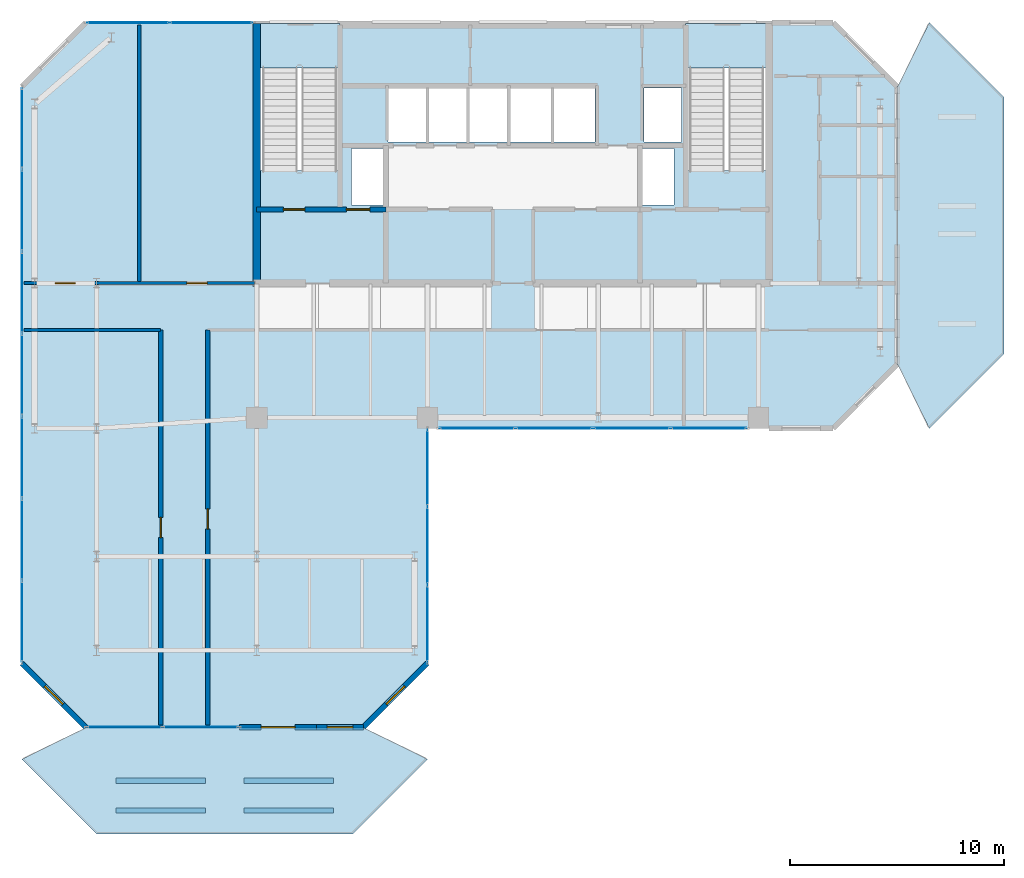
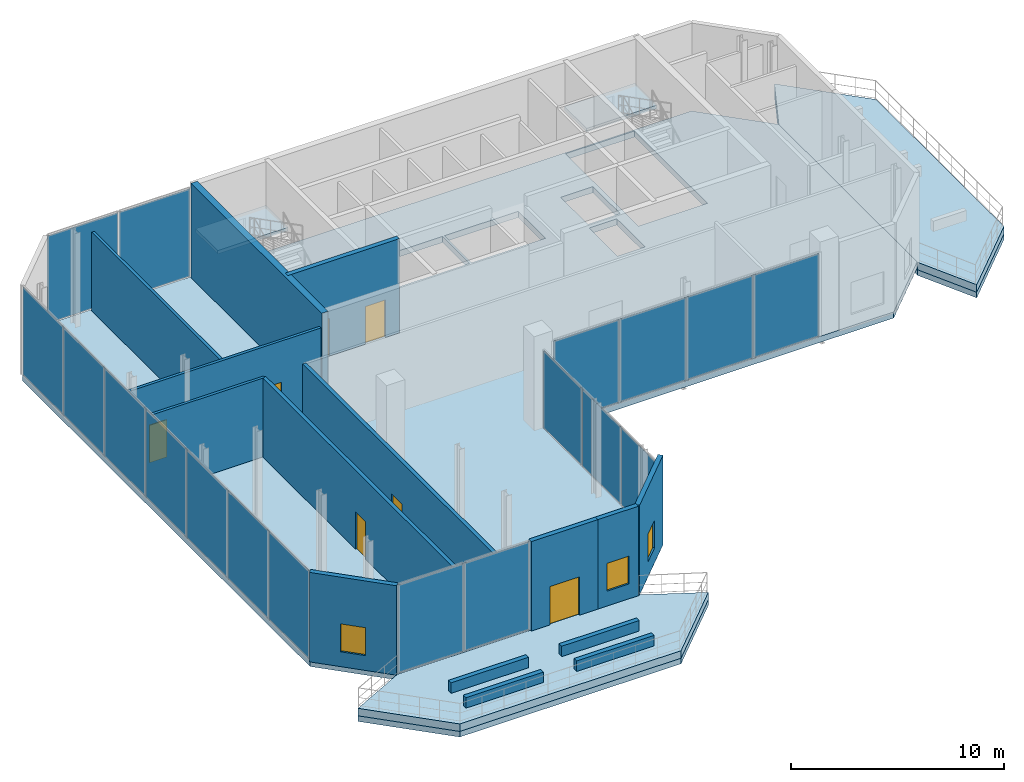
# One storey, part 13 of 17: 18 plates, 15 walls, 7 doors, 7 slabs, 3 windows, 10 openings, 7 elements without a shape of their own.
"""IFC4 building model written with IfcOpenShell, lengths in metres."""

import ifcopenshell
import ifcopenshell.guid

model = None  # the IFC model being written
_history = None  # IfcOwnerHistory: only IFC2X3 demands one
_inside = {}  # id of a spatial element -> (the spatial element, [elements in it])
_under = {}  # id of a project, library or spatial element -> (it, [spatial elements below it])
_declared = {}  # id of a project -> (the project, [libraries it declares])
_typed = {}  # id of a type object -> (the type object, [elements of that type])
_made_of = {}  # id of a material, layer set ... -> (it, [elements and type objects made of it])


def new_model(schema):
    """Start an empty IFC model of exactly this schema.

    Asked for "IFC4X3", IfcOpenShell would pick the latest addendum, in which some entities
    have other attributes; the version numbers below select the first issue.
    IFC2X3 requires an IfcOwnerHistory on every rooted entity: one is made here for all.
    """
    global model, _history
    if schema == "IFC4X3":
        model = ifcopenshell.file(schema_version=(4, 3, 0, 0))
    else:
        model = ifcopenshell.file(schema=schema)
    _inside.clear()
    _under.clear()
    _declared.clear()
    _typed.clear()
    _made_of.clear()
    _history = None
    if model.schema == "IFC2X3":
        org = make("IfcOrganization", Name="unknown")
        user = make(
            "IfcPersonAndOrganization",
            ThePerson=make("IfcPerson", FamilyName="unknown"),
            TheOrganization=org,
        )
        app = make(
            "IfcApplication",
            ApplicationDeveloper=org,
            Version="unknown",
            ApplicationFullName="unknown",
            ApplicationIdentifier="unknown",
        )
        _history = make(
            "IfcOwnerHistory",
            OwningUser=user,
            OwningApplication=app,
            ChangeAction="ADDED",
            CreationDate=0,
        )
    return model


def make(cls, **values):
    """One entity of the class cls with the attributes given. An attribute that is None is left unset."""
    return model.create_entity(
        cls, **{name: value for name, value in values.items() if value is not None}
    )


def rooted(cls, **values):
    """An entity with a GlobalId (a new one), such as an element, a storey or a relation."""
    return make(cls, GlobalId=ifcopenshell.guid.new(), OwnerHistory=_history, **values)


def si_unit(unit_type, name, prefix=None):
    """IfcSIUnit, for example si_unit("LENGTHUNIT", "METRE", prefix="MILLI")."""
    return make("IfcSIUnit", UnitType=unit_type, Prefix=prefix, Name=name)


def assignment(units):
    """IfcUnitAssignment: the units of a project."""
    return None if units is None else make("IfcUnitAssignment", Units=units)


def point(xyz):
    """IfcCartesianPoint."""
    return None if xyz is None else make("IfcCartesianPoint", Coordinates=xyz)


def direction(xyz):
    """IfcDirection."""
    return None if xyz is None else make("IfcDirection", DirectionRatios=xyz)


def frame(location, z_axis=None, x_axis=None):
    """IfcAxis2Placement3D, a coordinate frame: its origin and axes. An axis left out is left unset."""
    return make(
        "IfcAxis2Placement3D",
        Location=point(location),
        Axis=direction(z_axis),
        RefDirection=direction(x_axis),
    )


def frame_2d(location, x_axis=None):
    """IfcAxis2Placement2D, a coordinate frame in the plane: its origin and x axis."""
    return make(
        "IfcAxis2Placement2D", Location=point(location), RefDirection=direction(x_axis)
    )


def origin():
    """The frame at (0, 0, 0) with its axes left unset."""
    return frame((0.0, 0.0, 0.0))


def origin_2d():
    """The frame at (0, 0) in the plane with its x axis left unset."""
    return frame_2d((0.0, 0.0))


def place(relative_to, where):
    """IfcLocalPlacement: puts the frame where relative to a parent placement (None: the world)."""
    return make(
        "IfcLocalPlacement", PlacementRelTo=relative_to, RelativePlacement=where
    )


def context(
    kind, dimensions, precision=None, world=None, true_north=None, identifier=None
):
    """IfcGeometricRepresentationContext, for example the 3D "Model" context."""
    return make(
        "IfcGeometricRepresentationContext",
        ContextIdentifier=identifier,
        ContextType=kind,
        CoordinateSpaceDimension=dimensions,
        Precision=precision,
        WorldCoordinateSystem=world,
        TrueNorth=true_north,
    )


def subcontext(parent, identifier, kind, view, scale=None):
    """IfcGeometricRepresentationSubContext, for example "Body" below "Model"."""
    return make(
        "IfcGeometricRepresentationSubContext",
        ContextIdentifier=identifier,
        ContextType=kind,
        ParentContext=parent,
        TargetScale=scale,
        TargetView=view,
    )


def project(units=None, contexts=None):
    """IfcProject with its units and contexts."""
    return rooted(
        "IfcProject",
        Name="project",
        RepresentationContexts=contexts,
        UnitsInContext=assignment(units),
    )


def spatial(cls, under=None, at=None, **own):
    """A site, building, storey or space (cls), placed at a placement, below another one or the project."""
    s = rooted(cls, ObjectPlacement=at, **own)
    if under is not None:
        _under.setdefault(under.id(), (under, []))[1].append(s)
    return s


def polyline(points):
    """IfcPolyline through the points."""
    return make("IfcPolyline", Points=[point(p) for p in points])


def profile(cls, at=None, kind="AREA", **sizes):
    """A parametric profile (cls). Its sizes go by their IFC names, for example OverallWidth=200.0."""
    return make(cls, ProfileType=kind, Position=at, **sizes)


def rectangle(**sizes):
    """IfcRectangleProfileDef."""
    return profile("IfcRectangleProfileDef", **sizes)


def outline(outer, holes=None, kind="AREA"):
    """IfcArbitraryClosedProfileDef: a profile drawn as a closed curve; with holes, ...WithVoids."""
    if holes is None:
        return make("IfcArbitraryClosedProfileDef", ProfileType=kind, OuterCurve=outer)
    return make(
        "IfcArbitraryProfileDefWithVoids",
        ProfileType=kind,
        OuterCurve=outer,
        InnerCurves=holes,
    )


def extrude(swept, where, along, depth):
    """IfcExtrudedAreaSolid: the profile swept, set in the frame where, extruded along a direction by depth."""
    return make(
        "IfcExtrudedAreaSolid",
        SweptArea=swept,
        Position=where,
        ExtrudedDirection=direction(along),
        Depth=depth,
    )


def shape(context_of_items, identifier, shape_type, items):
    """IfcShapeRepresentation: the items that make up one representation, for example the "Body"."""
    return make(
        "IfcShapeRepresentation",
        ContextOfItems=context_of_items,
        RepresentationIdentifier=identifier,
        RepresentationType=shape_type,
        Items=items,
    )


def material(Name=None, Category=None):
    """IfcMaterial."""
    return make("IfcMaterial", Name=Name, Category=Category)


def layer(
    of_material, thickness, ventilated=None, Name=None, Category=None, Priority=None
):
    """IfcMaterialLayer: one layer of a wall or slab, of a material (None: an air gap)."""
    return make(
        "IfcMaterialLayer",
        Material=of_material,
        LayerThickness=thickness,
        IsVentilated=ventilated,
        Name=Name,
        Category=Category,
        Priority=Priority,
    )


def layer_set(layers, Name=None):
    """IfcMaterialLayerSet."""
    return make("IfcMaterialLayerSet", MaterialLayers=layers, LayerSetName=Name)


def made_of(thing, what):
    """Note that an element or type object is made of a material, layer set ...; save() writes the relation."""
    if what is not None:
        _made_of.setdefault(what.id(), (what, []))[1].append(thing)
    return thing


def type_object(cls, material=None, **own):
    """A type object (cls), such as IfcWallType, which elements share."""
    return made_of(rooted(cls, **own), material)


def element(
    cls,
    number,
    at=None,
    inside=None,
    cuts=None,
    type_object=None,
    material=None,
    context=None,
    identifier="Body",
    shape_type=None,
    held_by="IfcProductDefinitionShape",
    body=None,
    shapes=None,
    **own,
):
    """One element of the class cls, such as IfcWall. Its Tag is "e" and its number.

    at: its placement. inside: the storey or other place that contains it. cuts: it is an
    opening in that element (IfcRelVoidsElement). A single representation is given by context,
    identifier, shape_type and body (its items); several are given by shapes. held_by: the class
    of the entity that holds the representations. save() writes the other relations.
    """
    e = rooted(cls, Tag="e%d" % number, ObjectPlacement=at, **own)
    if body is not None:
        shapes = [shape(context, identifier, shape_type, body)]
    if shapes is not None:
        e.Representation = make(held_by, Representations=shapes)
    if inside is not None:
        _inside.setdefault(inside.id(), (inside, []))[1].append(e)
    if cuts is not None:
        rooted(
            "IfcRelVoidsElement", RelatingBuildingElement=cuts, RelatedOpeningElement=e
        )
    if type_object is not None:
        _typed.setdefault(type_object.id(), (type_object, []))[1].append(e)
    return made_of(e, material)


def fill(opening, filler):
    """IfcRelFillsElement: the door or window that sits in an opening."""
    return rooted(
        "IfcRelFillsElement",
        RelatingOpeningElement=opening,
        RelatedBuildingElement=filler,
    )


def aggregate(whole, parts):
    """IfcRelAggregates: a whole, such as a stair, and the parts it consists of."""
    return rooted("IfcRelAggregates", RelatingObject=whole, RelatedObjects=parts)


def save(model, path):
    """Write the relations noted so far, then the file.

    IfcRelAggregates (storeys below a building ...), IfcRelContainedInSpatialStructure (elements
    in a storey), IfcRelDefinesByType, IfcRelAssociatesMaterial and IfcRelDeclares: one each for
    every whole, place, type object, material and project.
    """
    for whole, parts in _under.values():
        aggregate(whole, parts)
    for where, things in _inside.values():
        rooted(
            "IfcRelContainedInSpatialStructure",
            RelatedElements=things,
            RelatingStructure=where,
        )
    for kind, things in _typed.values():
        rooted("IfcRelDefinesByType", RelatedObjects=things, RelatingType=kind)
    for what, things in _made_of.values():
        rooted("IfcRelAssociatesMaterial", RelatedObjects=things, RelatingMaterial=what)
    for by, libraries in _declared.values():
        rooted("IfcRelDeclares", RelatingContext=by, RelatedDefinitions=libraries)
    model.write(path)


model = new_model("IFC4")

# Units and contexts
model_context = context("Model", 3, precision=1e-05, world=origin(), true_north=direction((0.0, 1.0)))
body_context = subcontext(model_context, "Body", "Model", "MODEL_VIEW")
ifc_project = project(units=[si_unit("LENGTHUNIT", "METRE"), si_unit("AREAUNIT", "SQUARE_METRE"), si_unit("VOLUMEUNIT", "CUBIC_METRE"), si_unit("PLANEANGLEUNIT", "RADIAN"), si_unit("MASSUNIT", "GRAM", prefix="KILO")], contexts=[model_context])

# Site, building, storey
site_placement = place(None, origin())
site = spatial("IfcSite", under=ifc_project, at=site_placement, CompositionType="ELEMENT")
building_placement = place(site_placement, origin())
building = spatial("IfcBuilding", under=site, at=building_placement, Name="Catumbela Crestline Tower", CompositionType="ELEMENT")
storey_placement = place(building_placement, frame((0.0, 0.0, 213.0)))
storey = spatial("IfcBuildingStorey", under=building, at=storey_placement, Name="L55", CompositionType="ELEMENT", Elevation=213.0)

# Curtain wall, plates
ifc_material_1 = material(Name="Aluminium alloy AW-6060-T66", Category="aluminium")
ifc_layer_1 = layer(ifc_material_1, 0.18, Name="Aluminium alloy AW-6060-T66")
ifc_layer_set_1 = layer_set([ifc_layer_1], Name="Aluminium alloy AW-6060-T66")
curtain_wall_type = type_object("IfcCurtainWallType", Name="CWU-SKY", PredefinedType="USERDEFINED", material=ifc_layer_set_1)
curtain_wall_1_placement = place(storey_placement, origin())
curtain_wall_1 = element("IfcCurtainWall", 1, at=curtain_wall_1_placement, inside=storey, type_object=curtain_wall_type, Name="L55 Unitised Curtain Wall CW-L55-E0S1", ObjectType="UNITISED", PredefinedType="USERDEFINED")
ifc_material_2 = material(Name="Low-E laminated solar-control double glazing", Category="glass")
ifc_layer_2 = layer(ifc_material_2, 0.036, Name="Low-E laminated solar-control double glazing")
ifc_layer_set_2 = layer_set([ifc_layer_2], Name="Low-E laminated solar-control double glazing")
plate_type = type_object("IfcPlateType", Name="PNL-GLZ-SK", PredefinedType="CURTAIN_PANEL", material=ifc_layer_set_2)
plate_1_placement = place(storey_placement, frame((9.8162, 10.0, 0.06), z_axis=(0.0, 0.0, 1.0), x_axis=(1.0, 0.0, 0.0)))
plate_1 = element("IfcPlate", 2, at=plate_1_placement, type_object=plate_type, Name="CWU-SKY panel 1.1", PredefinedType="CURTAIN_PANEL", context=body_context, shape_type="SweptSolid", body=[
    extrude(rectangle(XDim=3.5025, YDim=0.034, at=origin_2d()), origin(), (0.0, 0.0, 1.0), 5.01),
])
plate_2_placement = place(storey_placement, frame((13.3838, 10.0, 0.06), z_axis=(0.0, 0.0, 1.0), x_axis=(1.0, 0.0, 0.0)))
plate_2 = element("IfcPlate", 3, at=plate_2_placement, type_object=plate_type, Name="CWU-SKY panel 2.1", PredefinedType="CURTAIN_PANEL", context=body_context, shape_type="SweptSolid", body=[
    extrude(rectangle(XDim=3.5025, YDim=0.034, at=origin_2d()), origin(), (0.0, 0.0, 1.0), 5.01),
])
aggregate(curtain_wall_1, [plate_1, plate_2])

curtain_wall_2_placement = place(storey_placement, origin())
curtain_wall_2 = element("IfcCurtainWall", 4, at=curtain_wall_2_placement, inside=storey, type_object=curtain_wall_type, Name="L55 Unitised Curtain Wall CW-L55-E2S1", ObjectType="UNITISED", PredefinedType="USERDEFINED")
plate_3_placement = place(storey_placement, frame((24.0, 14.8496, 0.06), z_axis=(0.0, 0.0, 1.0), x_axis=(0.0, 1.0, 0.0)))
plate_3 = element("IfcPlate", 5, at=plate_3_placement, type_object=plate_type, Name="CWU-SKY panel 1.1", PredefinedType="CURTAIN_PANEL", context=body_context, shape_type="SweptSolid", body=[
    extrude(rectangle(XDim=3.5692, YDim=0.034, at=origin_2d()), origin(), (0.0, 0.0, 1.0), 4.4),
])
plate_4_placement = place(storey_placement, frame((24.0, 18.5, 0.06), z_axis=(0.0, 0.0, 1.0), x_axis=(0.0, 1.0, 0.0)))
plate_4 = element("IfcPlate", 6, at=plate_4_placement, type_object=plate_type, Name="CWU-SKY panel 2.1", PredefinedType="CURTAIN_PANEL", context=body_context, shape_type="SweptSolid", body=[
    extrude(rectangle(XDim=3.6017, YDim=0.034, at=origin_2d()), origin(), (0.0, 0.0, 1.0), 4.4),
])
plate_5_placement = place(storey_placement, frame((24.0, 22.1504, 0.06), z_axis=(0.0, 0.0, 1.0), x_axis=(0.0, 1.0, 0.0)))
plate_5 = element("IfcPlate", 7, at=plate_5_placement, type_object=plate_type, Name="CWU-SKY panel 3.1", PredefinedType="CURTAIN_PANEL", context=body_context, shape_type="SweptSolid", body=[
    extrude(rectangle(XDim=3.5692, YDim=0.034, at=origin_2d()), origin(), (0.0, 0.0, 1.0), 4.4),
])
aggregate(curtain_wall_2, [plate_3, plate_4, plate_5])

curtain_wall_3_placement = place(storey_placement, origin())
curtain_wall_3 = element("IfcCurtainWall", 8, at=curtain_wall_3_placement, inside=storey, type_object=curtain_wall_type, Name="L55 Unitised Curtain Wall CW-L55-E3S1", ObjectType="UNITISED", PredefinedType="USERDEFINED")
plate_6_placement = place(storey_placement, frame((26.3288, 24.0, 0.06), z_axis=(0.0, 0.0, 1.0), x_axis=(1.0, 0.0, 0.0)))
plate_6 = element("IfcPlate", 9, at=plate_6_placement, type_object=plate_type, Name="CWU-SKY panel 1.1", PredefinedType="CURTAIN_PANEL", context=body_context, shape_type="SweptSolid", body=[
    extrude(rectangle(XDim=3.5275, YDim=0.034, at=origin_2d()), origin(), (0.0, 0.0, 1.0), 4.72),
])
plate_7_placement = place(storey_placement, frame((29.9375, 24.0, 0.06), z_axis=(0.0, 0.0, 1.0), x_axis=(1.0, 0.0, 0.0)))
plate_7 = element("IfcPlate", 10, at=plate_7_placement, type_object=plate_type, Name="CWU-SKY panel 2.1", PredefinedType="CURTAIN_PANEL", context=body_context, shape_type="SweptSolid", body=[
    extrude(rectangle(XDim=3.56, YDim=0.034, at=origin_2d()), origin(), (0.0, 0.0, 1.0), 4.72),
])
plate_8_placement = place(storey_placement, frame((33.5625, 24.0, 0.06), z_axis=(0.0, 0.0, 1.0), x_axis=(1.0, 0.0, 0.0)))
plate_8 = element("IfcPlate", 11, at=plate_8_placement, type_object=plate_type, Name="CWU-SKY panel 3.1", PredefinedType="CURTAIN_PANEL", context=body_context, shape_type="SweptSolid", body=[
    extrude(rectangle(XDim=3.56, YDim=0.034, at=origin_2d()), origin(), (0.0, 0.0, 1.0), 4.72),
])
plate_9_placement = place(storey_placement, frame((37.1712, 24.0, 0.06), z_axis=(0.0, 0.0, 1.0), x_axis=(1.0, 0.0, 0.0)))
plate_9 = element("IfcPlate", 12, at=plate_9_placement, type_object=plate_type, Name="CWU-SKY panel 4.1", PredefinedType="CURTAIN_PANEL", context=body_context, shape_type="SweptSolid", body=[
    extrude(rectangle(XDim=3.5275, YDim=0.034, at=origin_2d()), origin(), (0.0, 0.0, 1.0), 4.72),
])
aggregate(curtain_wall_3, [plate_6, plate_7, plate_8, plate_9])

curtain_wall_4_placement = place(storey_placement, origin())
curtain_wall_4 = element("IfcCurtainWall", 13, at=curtain_wall_4_placement, inside=storey, type_object=curtain_wall_type, Name="L55 Unitised Curtain Wall CW-L55-E7S2", ObjectType="UNITISED", PredefinedType="USERDEFINED")
plate_10_placement = place(storey_placement, frame((13.8788, 43.0, 0.06), z_axis=(0.0, 0.0, 1.0), x_axis=(-1.0, 0.0, 0.0)))
plate_10 = element("IfcPlate", 14, at=plate_10_placement, type_object=plate_type, Name="CWU-SKY panel 1.1", PredefinedType="CURTAIN_PANEL", context=body_context, shape_type="SweptSolid", body=[
    extrude(rectangle(XDim=3.8325, YDim=0.034, at=origin_2d()), origin(), (0.0, 0.0, 1.0), 5.01),
])
plate_11_placement = place(storey_placement, frame((9.9812, 43.0, 0.06), z_axis=(0.0, 0.0, 1.0), x_axis=(-1.0, 0.0, 0.0)))
plate_11 = element("IfcPlate", 15, at=plate_11_placement, type_object=plate_type, Name="CWU-SKY panel 2.1", PredefinedType="CURTAIN_PANEL", context=body_context, shape_type="SweptSolid", body=[
    extrude(rectangle(XDim=3.8325, YDim=0.034, at=origin_2d()), origin(), (0.0, 0.0, 1.0), 5.01),
])
aggregate(curtain_wall_4, [plate_10, plate_11])

curtain_wall_5_placement = place(storey_placement, origin())
curtain_wall_5 = element("IfcCurtainWall", 16, at=curtain_wall_5_placement, inside=storey, type_object=curtain_wall_type, Name="L55 Unitised Curtain Wall CW-L55-E9S1", ObjectType="UNITISED", PredefinedType="USERDEFINED")
plate_12_placement = place(storey_placement, frame((5.0, 38.0552, 0.06), z_axis=(0.0, 0.0, 1.0), x_axis=(0.0, -1.0, 0.0)))
plate_12 = element("IfcPlate", 17, at=plate_12_placement, type_object=plate_type, Name="CWU-SKY panel 1.1", PredefinedType="CURTAIN_PANEL", context=body_context, shape_type="SweptSolid", body=[
    extrude(rectangle(XDim=3.7596, YDim=0.034, at=origin_2d()), origin(), (0.0, 0.0, 1.0), 5.01),
])
plate_13_placement = place(storey_placement, frame((5.0, 34.2143, 0.06), z_axis=(0.0, 0.0, 1.0), x_axis=(0.0, -1.0, 0.0)))
plate_13 = element("IfcPlate", 18, at=plate_13_placement, type_object=plate_type, Name="CWU-SKY panel 2.1", PredefinedType="CURTAIN_PANEL", context=body_context, shape_type="SweptSolid", body=[
    extrude(rectangle(XDim=3.7921, YDim=0.034, at=origin_2d()), origin(), (0.0, 0.0, 1.0), 5.01),
])
plate_14_placement = place(storey_placement, frame((5.0, 30.3571, 0.06), z_axis=(0.0, 0.0, 1.0), x_axis=(0.0, -1.0, 0.0)))
plate_14 = element("IfcPlate", 19, at=plate_14_placement, type_object=plate_type, Name="CWU-SKY panel 3.1", PredefinedType="CURTAIN_PANEL", context=body_context, shape_type="SweptSolid", body=[
    extrude(rectangle(XDim=3.7921, YDim=0.034, at=origin_2d()), origin(), (0.0, 0.0, 1.0), 5.01),
])
plate_15_placement = place(storey_placement, frame((5.0, 26.5, 0.06), z_axis=(0.0, 0.0, 1.0), x_axis=(0.0, -1.0, 0.0)))
plate_15 = element("IfcPlate", 20, at=plate_15_placement, type_object=plate_type, Name="CWU-SKY panel 4.1", PredefinedType="CURTAIN_PANEL", context=body_context, shape_type="SweptSolid", body=[
    extrude(rectangle(XDim=3.7921, YDim=0.034, at=origin_2d()), origin(), (0.0, 0.0, 1.0), 5.01),
])
plate_16_placement = place(storey_placement, frame((5.0, 22.6429, 0.06), z_axis=(0.0, 0.0, 1.0), x_axis=(0.0, -1.0, 0.0)))
plate_16 = element("IfcPlate", 21, at=plate_16_placement, type_object=plate_type, Name="CWU-SKY panel 5.1", PredefinedType="CURTAIN_PANEL", context=body_context, shape_type="SweptSolid", body=[
    extrude(rectangle(XDim=3.7921, YDim=0.034, at=origin_2d()), origin(), (0.0, 0.0, 1.0), 5.01),
])
plate_17_placement = place(storey_placement, frame((5.0, 18.7857, 0.06), z_axis=(0.0, 0.0, 1.0), x_axis=(0.0, -1.0, 0.0)))
plate_17 = element("IfcPlate", 22, at=plate_17_placement, type_object=plate_type, Name="CWU-SKY panel 6.1", PredefinedType="CURTAIN_PANEL", context=body_context, shape_type="SweptSolid", body=[
    extrude(rectangle(XDim=3.7921, YDim=0.034, at=origin_2d()), origin(), (0.0, 0.0, 1.0), 5.01),
])
plate_18_placement = place(storey_placement, frame((5.0, 14.9448, 0.06), z_axis=(0.0, 0.0, 1.0), x_axis=(0.0, -1.0, 0.0)))
plate_18 = element("IfcPlate", 23, at=plate_18_placement, type_object=plate_type, Name="CWU-SKY panel 7.1", PredefinedType="CURTAIN_PANEL", context=body_context, shape_type="SweptSolid", body=[
    extrude(rectangle(XDim=3.7596, YDim=0.034, at=origin_2d()), origin(), (0.0, 0.0, 1.0), 5.01),
])
aggregate(curtain_wall_5, [plate_12, plate_13, plate_14, plate_15, plate_16, plate_17, plate_18])

# Stair, slab
ifc_material_3 = material(Name="Concrete C45/55", Category="concrete")
stair_type = type_object("IfcStairType", Name="ST-DLG", PredefinedType="HALF_TURN_STAIR", material=ifc_material_3)
stair_1_placement = place(storey_placement, origin())
stair_1 = element("IfcStair", 24, at=stair_1_placement, inside=storey, type_object=stair_type, Name="L55 West Core Pressurised Exit Stair ST-01", PredefinedType="HALF_TURN_STAIR")
ifc_layer_3 = layer(ifc_material_3, 0.2, Name="Concrete C45/55")
ifc_layer_set_3 = layer_set([ifc_layer_3], Name="Concrete C45/55")
slab_type_1 = type_object("IfcSlabType", Name="SL-LND", PredefinedType="LANDING", material=ifc_layer_set_3)
slab_1_placement = place(storey_placement, frame((0.0, 0.0, 2.5)))
slab_1 = element("IfcSlab", 25, at=slab_1_placement, type_object=slab_type_1, Name="ST-01 landing 1", PredefinedType="LANDING", context=body_context, shape_type="SweptSolid", body=[
    extrude(outline(polyline([(19.91, 40.88), (19.91, 42.96), (16.09, 42.96), (16.09, 40.88), (19.91, 40.88)])), origin(), (0.0, 0.0, 1.0), 0.2),
])
aggregate(stair_1, [slab_1])

stair_2_placement = place(storey_placement, origin())
stair_2 = element("IfcStair", 26, at=stair_2_placement, inside=storey, type_object=stair_type, Name="L55 East Core Pressurised Exit Stair ST-02", PredefinedType="HALF_TURN_STAIR")
slab_2_placement = place(storey_placement, frame((0.0, 0.0, 2.5)))
slab_2 = element("IfcSlab", 27, at=slab_2_placement, type_object=slab_type_1, Name="ST-02 landing 1", PredefinedType="LANDING", context=body_context, shape_type="SweptSolid", body=[
    extrude(outline(polyline([(39.91, 40.88), (39.91, 42.96), (36.09, 42.96), (36.09, 40.88), (39.91, 40.88)])), origin(), (0.0, 0.0, 1.0), 0.2),
])
aggregate(stair_2, [slab_2])

# Slabs
ifc_material_4 = material(Name="Concrete C50/60", Category="concrete")
ifc_layer_4 = layer(ifc_material_4, 0.35, Name="Concrete C50/60")
ifc_layer_set_4 = layer_set([ifc_layer_4], Name="Concrete C50/60")
slab_type_2 = type_object("IfcSlabType", Name="SL-350M", PredefinedType="FLOOR", material=ifc_layer_set_4)
slab_3_placement = place(storey_placement, frame((0.0, 0.0, -0.35)))
element("IfcSlab", 28, at=slab_3_placement, inside=storey, type_object=slab_type_2, Name="L55 Structural Floor Slab", PredefinedType="FLOOR", context=body_context, shape_type="SweptSolid", body=[
    extrude(outline(polyline([(8.0, 10.0), (21.0, 10.0), (24.0, 13.0), (24.0, 24.0), (43.0, 24.0), (46.0, 27.0), (46.0, 40.0), (43.0, 43.0), (8.0, 43.0), (5.0, 40.0), (5.0, 13.0), (8.0, 10.0)]), holes=[polyline([(16.13, 36.08), (19.87, 36.08), (19.87, 42.92), (16.13, 42.92), (16.13, 36.08)]), polyline([(36.13, 36.08), (39.87, 36.08), (39.87, 42.92), (36.13, 42.92), (36.13, 36.08)]), polyline([(22.15, 37.4), (27.75, 37.4), (27.75, 39.95), (22.15, 39.95), (22.15, 37.4)]), polyline([(27.85, 37.4), (31.85, 37.4), (31.85, 39.95), (27.85, 39.95), (27.85, 37.4)]), polyline([(20.45, 34.45), (21.95, 34.45), (21.95, 37.1), (20.45, 37.1), (20.45, 34.45)]), polyline([(34.05, 34.45), (35.55, 34.45), (35.55, 37.1), (34.05, 37.1), (34.05, 34.45)]), polyline([(34.15, 37.4), (35.9, 37.4), (35.9, 39.95), (34.15, 39.95), (34.15, 37.4)])]), origin(), (0.0, 0.0, 1.0), 0.35),
])
ifc_layer_5 = layer(ifc_material_4, 0.32, Name="Concrete C50/60")
ifc_layer_set_5 = layer_set([ifc_layer_5], Name="Concrete C50/60")
slab_type_3 = type_object("IfcSlabType", Name="ST-320G", PredefinedType="ROOF", material=ifc_layer_set_5)
slab_4_placement = place(storey_placement, frame((0.0, 0.0, -0.77)))
element("IfcSlab", 29, at=slab_4_placement, inside=storey, type_object=slab_type_3, Name="L55 Planted Sky Garden Terrace Slab TER-L55-E", PredefinedType="ROOF", context=body_context, shape_type="SweptSolid", body=[
    extrude(outline(polyline([(46.01, 27.0), (47.5, 24.0), (51.0, 27.5), (51.0, 39.5), (47.5, 43.0), (46.01, 40.0), (46.01, 27.0)])), origin(), (0.0, 0.0, 1.0), 0.32),
])
slab_5_placement = place(storey_placement, frame((0.0, 0.0, -0.77)))
element("IfcSlab", 30, at=slab_5_placement, inside=storey, type_object=slab_type_3, Name="L55 Planted Sky Garden Terrace Slab TER-L55-S", PredefinedType="ROOF", context=body_context, shape_type="SweptSolid", body=[
    extrude(outline(polyline([(5.0, 8.5), (8.5, 5.0), (20.5, 5.0), (24.0, 8.5), (21.0, 9.99), (8.0, 9.99), (5.0, 8.5)])), origin(), (0.0, 0.0, 1.0), 0.32),
])
ifc_material_5 = material(Name="Angolan grey-ochre granite", Category="masonry")
ifc_layer_6 = layer(ifc_material_5, 0.43, Name="Angolan grey-ochre granite")
ifc_layer_set_6 = layer_set([ifc_layer_6], Name="Angolan grey-ochre granite")
slab_type_4 = type_object("IfcSlabType", Name="STD-430", PredefinedType="USERDEFINED", material=ifc_layer_set_6)
slab_6_placement = place(storey_placement, frame((0.0, 0.0, -0.45)))
element("IfcSlab", 31, at=slab_6_placement, inside=storey, type_object=slab_type_4, Name="L55 Permeable Granite Sky-Garden Terrace Deck TER-L55-E", ObjectType="TERRACE", PredefinedType="USERDEFINED", context=body_context, shape_type="SweptSolid", body=[
    extrude(outline(polyline([(46.01, 27.0), (47.5, 24.0), (51.0, 27.5), (51.0, 39.5), (47.5, 43.0), (46.01, 40.0), (46.01, 27.0)])), origin(), (0.0, 0.0, 1.0), 0.43),
])
slab_7_placement = place(storey_placement, frame((0.0, 0.0, -0.45)))
element("IfcSlab", 32, at=slab_7_placement, inside=storey, type_object=slab_type_4, Name="L55 Permeable Granite Sky-Garden Terrace Deck TER-L55-S", ObjectType="TERRACE", PredefinedType="USERDEFINED", context=body_context, shape_type="SweptSolid", body=[
    extrude(outline(polyline([(5.0, 8.5), (8.5, 5.0), (20.5, 5.0), (24.0, 8.5), (21.0, 9.99), (8.0, 9.99), (5.0, 8.5)])), origin(), (0.0, 0.0, 1.0), 0.43),
])

# Wall, openings, doors
ifc_layer_7 = layer(ifc_material_4, 0.25, Name="Concrete C50/60")
ifc_layer_set_7 = layer_set([ifc_layer_7], Name="Concrete C50/60")
wall_type_1 = type_object("IfcWallType", Name="CW-250D", PredefinedType="SHEAR", material=ifc_layer_set_7)
wall_1_placement = place(storey_placement, frame((16.0, 34.25, 0.0), z_axis=(0.0, 0.0, 1.0), x_axis=(1.0, 0.0, 0.0)))
wall_1 = element("IfcWall", 33, at=wall_1_placement, inside=storey, type_object=wall_type_1, Name="L55 Structural Core Shear Wall ST1S", PredefinedType="SHEAR", context=body_context, shape_type="SweptSolid", body=[
    extrude(rectangle(XDim=6.05, YDim=0.25, at=frame_2d((3.025, 0.0))), origin(), (0.0, 0.0, 1.0), 5.4),
])
opening_1_placement = place(wall_1_placement, frame((1.25, 0.0, 0.0)))
opening_1 = element("IfcOpeningElement", 34, at=opening_1_placement, cuts=wall_1, Name="Opening DF9-100", PredefinedType="OPENING", context=body_context, shape_type="SweptSolid", body=[
    extrude(rectangle(XDim=1.0, YDim=2.15, at=frame_2d((0.5, 1.075))), frame((0.0, 0.135, 0.0), z_axis=(0.0, -1.0, 0.0), x_axis=(1.0, 0.0, 0.0)), (0.0, 0.0, 1.0), 0.27),
])
opening_2_placement = place(wall_1_placement, frame((4.2, 0.0, 0.0)))
opening_2 = element("IfcOpeningElement", 35, at=opening_2_placement, cuts=wall_1, Name="Opening LD-110", PredefinedType="OPENING", context=body_context, shape_type="SweptSolid", body=[
    extrude(rectangle(XDim=1.1, YDim=2.15, at=frame_2d((0.55, 1.075))), frame((0.0, 0.135, 0.0), z_axis=(0.0, -1.0, 0.0), x_axis=(1.0, 0.0, 0.0)), (0.0, 0.0, 1.0), 0.27),
])
ifc_material_6 = material(Name="Stainless steel EN 1.4401", Category="steel")
door_type_1 = type_object("IfcDoorType", Name="DF9-100", OperationType="NOTDEFINED", PredefinedType="DOOR", material=ifc_material_6)
door_1_placement = place(opening_1_placement, origin())
door_1 = element("IfcDoor", 36, at=door_1_placement, inside=storey, type_object=door_type_1, Name="L55 Interior Door DR-L55-ST01", OperationType="SINGLE_SWING_LEFT", OverallHeight=2.15, OverallWidth=1.0, PredefinedType="DOOR", context=body_context, shape_type="SweptSolid", body=[
    extrude(rectangle(XDim=1.0, YDim=2.15, at=frame_2d((0.5, 1.075))), frame((0.0, 0.025, 0.0), z_axis=(0.0, -1.0, 0.0), x_axis=(1.0, 0.0, 0.0)), (0.0, 0.0, 1.0), 0.05),
])
fill(opening_1, door_1)
door_type_2 = type_object("IfcDoorType", Name="LD-110", OperationType="NOTDEFINED", PredefinedType="DOOR", material=ifc_material_6)
door_2_placement = place(opening_2_placement, origin())
door_2 = element("IfcDoor", 37, at=door_2_placement, inside=storey, type_object=door_type_2, Name="L55 Lift Landing Sliding Door FL-01", OperationType="DOUBLE_DOOR_SLIDING", OverallHeight=2.15, OverallWidth=1.1, PredefinedType="DOOR", context=body_context, shape_type="SweptSolid", body=[
    extrude(rectangle(XDim=1.1, YDim=2.15, at=frame_2d((0.55, 1.075))), frame((0.0, 0.025, 0.0), z_axis=(0.0, -1.0, 0.0), x_axis=(1.0, 0.0, 0.0)), (0.0, 0.0, 1.0), 0.05),
])
fill(opening_2, door_2)

# Wall
ifc_layer_8 = layer(ifc_material_4, 0.35, Name="Concrete C50/60")
ifc_layer_set_8 = layer_set([ifc_layer_8], Name="Concrete C50/60")
wall_type_2 = type_object("IfcWallType", Name="CW-350B", PredefinedType="SHEAR", material=ifc_layer_set_8)
wall_2_placement = place(storey_placement, frame((16.0, 30.65, 0.0), z_axis=(0.0, 0.0, 1.0), x_axis=(0.0, 1.0, 0.0)))
element("IfcWall", 38, at=wall_2_placement, inside=storey, type_object=wall_type_2, Name="L55 Structural Core Shear Wall W", PredefinedType="SHEAR", context=body_context, shape_type="SweptSolid", body=[
    extrude(rectangle(XDim=12.3, YDim=0.35, at=frame_2d((6.15, 0.0))), origin(), (0.0, 0.0, 1.0), 5.4),
])

# Wall, opening, door
ifc_material_7 = material(Name="Acoustic gypsum and mineral-wool partition")
ifc_layer_9 = layer(ifc_material_7, 0.2, Name="Acoustic gypsum and mineral-wool partition")
ifc_layer_set_9 = layer_set([ifc_layer_9], Name="Acoustic gypsum and mineral-wool partition")
wall_type_3 = type_object("IfcWallType", Name="WC-200", PredefinedType="PARTITIONING", material=ifc_layer_set_9)
wall_3_placement = place(storey_placement, frame((11.5, 10.1, 0.0), z_axis=(0.0, 0.0, 1.0), x_axis=(0.0, 1.0, 0.0)))
wall_3 = element("IfcWall", 39, at=wall_3_placement, inside=storey, type_object=wall_type_3, Name="L55 Interior Partition PW-L55-SKLIB-ENT", PredefinedType="PARTITIONING", context=body_context, shape_type="SweptSolid", body=[
    extrude(rectangle(XDim=18.5, YDim=0.2, at=frame_2d((9.25, 0.0))), origin(), (0.0, 0.0, 1.0), 4.52),
])
opening_3_placement = place(wall_3_placement, frame((8.775, 0.0, 0.0)))
opening_3 = element("IfcOpeningElement", 40, at=opening_3_placement, cuts=wall_3, Name="Opening DF6-095", PredefinedType="OPENING", context=body_context, shape_type="SweptSolid", body=[
    extrude(rectangle(XDim=0.95, YDim=2.15, at=frame_2d((0.475, 1.075))), frame((0.0, 0.11, 0.0), z_axis=(0.0, -1.0, 0.0), x_axis=(1.0, 0.0, 0.0)), (0.0, 0.0, 1.0), 0.22),
])
door_type_3 = type_object("IfcDoorType", Name="DF6-095", OperationType="NOTDEFINED", PredefinedType="DOOR", material=ifc_material_1)
door_3_placement = place(opening_3_placement, origin())
door_3 = element("IfcDoor", 41, at=door_3_placement, inside=storey, type_object=door_type_3, Name="L55 Interior Door DR-L55-SKLIB-ENT", OperationType="SINGLE_SWING_RIGHT", OverallHeight=2.15, OverallWidth=0.95, PredefinedType="DOOR", context=body_context, shape_type="SweptSolid", body=[
    extrude(rectangle(XDim=0.95, YDim=2.15, at=frame_2d((0.475, 1.075))), frame((0.0, 0.025, 0.0), z_axis=(0.0, -1.0, 0.0), x_axis=(1.0, 0.0, 0.0)), (0.0, 0.0, 1.0), 0.05),
])
fill(opening_3, door_3)

wall_4_placement = place(storey_placement, frame((13.7, 10.1, 0.0), z_axis=(0.0, 0.0, 1.0), x_axis=(0.0, 1.0, 0.0)))
wall_4 = element("IfcWall", 42, at=wall_4_placement, inside=storey, type_object=wall_type_3, Name="L55 Interior Partition PW-L55-SKMTG-ENT", PredefinedType="PARTITIONING", context=body_context, shape_type="SweptSolid", body=[
    extrude(rectangle(XDim=18.5, YDim=0.2, at=frame_2d((9.25, 0.0))), origin(), (0.0, 0.0, 1.0), 4.52),
])
opening_4_placement = place(wall_4_placement, frame((9.1766, 0.0, 0.0)))
opening_4 = element("IfcOpeningElement", 43, at=opening_4_placement, cuts=wall_4, Name="Opening DF6-095", PredefinedType="OPENING", context=body_context, shape_type="SweptSolid", body=[
    extrude(rectangle(XDim=0.95, YDim=2.15, at=frame_2d((0.475, 1.075))), frame((0.0, 0.11, 0.0), z_axis=(0.0, -1.0, 0.0), x_axis=(1.0, 0.0, 0.0)), (0.0, 0.0, 1.0), 0.22),
])
door_4_placement = place(opening_4_placement, origin())
door_4 = element("IfcDoor", 44, at=door_4_placement, inside=storey, type_object=door_type_3, Name="L55 Interior Door DR-L55-SKMTG-ENT", OperationType="SINGLE_SWING_LEFT", OverallHeight=2.15, OverallWidth=0.95, PredefinedType="DOOR", context=body_context, shape_type="SweptSolid", body=[
    extrude(rectangle(XDim=0.95, YDim=2.15, at=frame_2d((0.475, 1.075))), frame((0.0, 0.025, 0.0), z_axis=(0.0, -1.0, 0.0), x_axis=(1.0, 0.0, 0.0)), (0.0, 0.0, 1.0), 0.05),
])
fill(opening_4, door_4)

ifc_layer_10 = layer(ifc_material_5, 0.25, Name="Angolan grey-ochre granite")
ifc_layer_set_10 = layer_set([ifc_layer_10], Name="Angolan grey-ochre granite")
wall_type_4 = type_object("IfcWallType", Name="WE-250", PredefinedType="STANDARD", material=ifc_layer_set_10)
wall_5_placement = place(storey_placement, frame((15.2, 10.0, 0.0), z_axis=(0.0, 0.0, 1.0), x_axis=(1.0, 0.0, 0.0)))
wall_5 = element("IfcWall", 45, at=wall_5_placement, inside=storey, type_object=wall_type_4, Name="L55 Exterior Threshold Portal Wall DR-L55-TER-S", PredefinedType="STANDARD", context=body_context, shape_type="SweptSolid", body=[
    extrude(rectangle(XDim=3.6, YDim=0.25, at=frame_2d((1.8, 0.0))), origin(), (0.0, 0.0, 1.0), 5.13),
])
opening_5_placement = place(wall_5_placement, frame((1.0, 0.0, 0.0)))
opening_5 = element("IfcOpeningElement", 46, at=opening_5_placement, cuts=wall_5, Name="Opening DT-07", PredefinedType="OPENING", context=body_context, shape_type="SweptSolid", body=[
    extrude(rectangle(XDim=1.6, YDim=2.2, at=frame_2d((0.8, 1.1))), frame((0.0, 0.135, 0.0), z_axis=(0.0, -1.0, 0.0), x_axis=(1.0, 0.0, 0.0)), (0.0, 0.0, 1.0), 0.27),
])
door_type_4 = type_object("IfcDoorType", Name="DT-1600", OperationType="NOTDEFINED", PredefinedType="DOOR", material=ifc_material_1)
door_5_placement = place(opening_5_placement, origin())
door_5 = element("IfcDoor", 47, at=door_5_placement, inside=storey, type_object=door_type_4, Name="L55 South Sky-Garden Terrace Door", OperationType="DOUBLE_DOOR_SINGLE_SWING", OverallHeight=2.2, OverallWidth=1.6, PredefinedType="DOOR", context=body_context, shape_type="SweptSolid", body=[
    extrude(rectangle(XDim=1.6, YDim=2.2, at=frame_2d((0.8, 1.1))), frame((0.0, 0.025, 0.0), z_axis=(0.0, -1.0, 0.0), x_axis=(1.0, 0.0, 0.0)), (0.0, 0.0, 1.0), 0.05),
])
fill(opening_5, door_5)

# Wall, opening, window
wall_6_placement = place(storey_placement, frame((18.8, 10.0, 0.0), z_axis=(0.0, 0.0, 1.0), x_axis=(1.0, 0.0, 0.0)))
wall_6 = element("IfcWall", 48, at=wall_6_placement, inside=storey, type_object=wall_type_4, Name="L55 Granite Punched Window Wall 0-2", PredefinedType="STANDARD", context=body_context, shape_type="SweptSolid", body=[
    extrude(rectangle(XDim=2.2, YDim=0.25, at=frame_2d((1.1, 0.0))), origin(), (0.0, 0.0, 1.0), 5.13),
])
opening_6_placement = place(wall_6_placement, frame((0.5, 0.0, 0.85)))
opening_6 = element("IfcOpeningElement", 49, at=opening_6_placement, cuts=wall_6, Name="Opening WN-02", PredefinedType="OPENING", context=body_context, shape_type="SweptSolid", body=[
    extrude(rectangle(XDim=1.2, YDim=1.6, at=frame_2d((0.6, 0.8))), frame((0.0, 0.135, 0.0), z_axis=(0.0, -1.0, 0.0), x_axis=(1.0, 0.0, 0.0)), (0.0, 0.0, 1.0), 0.27),
])
window_type = type_object("IfcWindowType", Name="WO-1200", PartitioningType="SINGLE_PANEL", PredefinedType="WINDOW", material=ifc_material_2)
window_1_placement = place(opening_6_placement, origin())
window_1 = element("IfcWindow", 50, at=window_1_placement, inside=storey, type_object=window_type, Name="L55 Facade Vision Window 367", OverallHeight=1.6, OverallWidth=1.2, PartitioningType="SINGLE_PANEL", PredefinedType="WINDOW", context=body_context, shape_type="SweptSolid", body=[
    extrude(rectangle(XDim=1.2, YDim=1.6, at=frame_2d((0.6, 0.8))), frame((0.0, 0.03, 0.0), z_axis=(0.0, -1.0, 0.0), x_axis=(1.0, 0.0, 0.0)), (0.0, 0.0, 1.0), 0.06),
])
fill(opening_6, window_1)

wall_7_placement = place(storey_placement, frame((21.0, 10.0, 0.0), z_axis=(0.0, 0.0, 1.0), x_axis=(0.707106781187, 0.707106781187, 0.0)))
wall_7 = element("IfcWall", 51, at=wall_7_placement, inside=storey, type_object=wall_type_4, Name="L55 Granite Punched Window Wall 1-1", PredefinedType="STANDARD", context=body_context, shape_type="SweptSolid", body=[
    extrude(rectangle(XDim=4.2426, YDim=0.25, at=frame_2d((2.1213, 0.0))), origin(), (0.0, 0.0, 1.0), 5.13),
])
opening_7_placement = place(wall_7_placement, frame((1.5213, 0.0, 0.85)))
opening_7 = element("IfcOpeningElement", 52, at=opening_7_placement, cuts=wall_7, Name="Opening WN-02", PredefinedType="OPENING", context=body_context, shape_type="SweptSolid", body=[
    extrude(rectangle(XDim=1.2, YDim=1.6, at=frame_2d((0.6, 0.8))), frame((0.0, 0.135, 0.0), z_axis=(0.0, -1.0, 0.0), x_axis=(1.0, 0.0, 0.0)), (0.0, 0.0, 1.0), 0.27),
])
window_2_placement = place(opening_7_placement, origin())
window_2 = element("IfcWindow", 53, at=window_2_placement, inside=storey, type_object=window_type, Name="L55 Facade Vision Window 368", OverallHeight=1.6, OverallWidth=1.2, PartitioningType="SINGLE_PANEL", PredefinedType="WINDOW", context=body_context, shape_type="SweptSolid", body=[
    extrude(rectangle(XDim=1.2, YDim=1.6, at=frame_2d((0.6, 0.8))), frame((0.0, 0.03, 0.0), z_axis=(0.0, -1.0, 0.0), x_axis=(1.0, 0.0, 0.0)), (0.0, 0.0, 1.0), 0.06),
])
fill(opening_7, window_2)

wall_8_placement = place(storey_placement, frame((5.0, 13.0, 0.0), z_axis=(0.0, 0.0, 1.0), x_axis=(0.707106781187, -0.707106781187, 0.0)))
wall_8 = element("IfcWall", 54, at=wall_8_placement, inside=storey, type_object=wall_type_4, Name="L55 Granite Punched Window Wall 10-1", PredefinedType="STANDARD", context=body_context, shape_type="SweptSolid", body=[
    extrude(rectangle(XDim=4.2426, YDim=0.25, at=frame_2d((2.1213, 0.0))), origin(), (0.0, 0.0, 1.0), 5.13),
])
opening_8_placement = place(wall_8_placement, frame((1.5213, 0.0, 0.85)))
opening_8 = element("IfcOpeningElement", 55, at=opening_8_placement, cuts=wall_8, Name="Opening WN-02", PredefinedType="OPENING", context=body_context, shape_type="SweptSolid", body=[
    extrude(rectangle(XDim=1.2, YDim=1.6, at=frame_2d((0.6, 0.8))), frame((0.0, 0.135, 0.0), z_axis=(0.0, -1.0, 0.0), x_axis=(1.0, 0.0, 0.0)), (0.0, 0.0, 1.0), 0.27),
])
window_3_placement = place(opening_8_placement, origin())
window_3 = element("IfcWindow", 56, at=window_3_placement, inside=storey, type_object=window_type, Name="L55 Facade Vision Window 378", OverallHeight=1.6, OverallWidth=1.2, PartitioningType="SINGLE_PANEL", PredefinedType="WINDOW", context=body_context, shape_type="SweptSolid", body=[
    extrude(rectangle(XDim=1.2, YDim=1.6, at=frame_2d((0.6, 0.8))), frame((0.0, 0.03, 0.0), z_axis=(0.0, -1.0, 0.0), x_axis=(1.0, 0.0, 0.0)), (0.0, 0.0, 1.0), 0.06),
])
fill(opening_8, window_3)

# Wall
ifc_layer_11 = layer(ifc_material_7, 0.15, Name="Acoustic gypsum and mineral-wool partition")
ifc_layer_set_11 = layer_set([ifc_layer_11], Name="Acoustic gypsum and mineral-wool partition")
wall_type_5 = type_object("IfcWallType", Name="WP-150", PredefinedType="PARTITIONING", material=ifc_layer_set_11)
wall_9_placement = place(storey_placement, frame((10.5, 30.8, 0.0), z_axis=(0.0, 0.0, 1.0), x_axis=(0.0, 1.0, 0.0)))
element("IfcWall", 57, at=wall_9_placement, inside=storey, type_object=wall_type_5, Name="L55 Interior Partition PW-L55-NWM", PredefinedType="PARTITIONING", context=body_context, shape_type="SweptSolid", body=[
    extrude(rectangle(XDim=12.1, YDim=0.15, at=frame_2d((6.05, 0.0))), origin(), (0.0, 0.0, 1.0), 4.52),
])

# Wall, openings, doors
wall_10_placement = place(storey_placement, frame((5.1, 30.8, 0.0), z_axis=(0.0, 0.0, 1.0), x_axis=(1.0, 0.0, 0.0)))
wall_10 = element("IfcWall", 58, at=wall_10_placement, inside=storey, type_object=wall_type_5, Name="L55 Interior Partition PW-L55-NW1", PredefinedType="PARTITIONING", context=body_context, shape_type="SweptSolid", body=[
    extrude(rectangle(XDim=10.8, YDim=0.15, at=frame_2d((5.4, 0.0))), origin(), (0.0, 0.0, 1.0), 4.52),
])
opening_9_placement = place(wall_10_placement, frame((1.455, 0.0, 0.0)))
opening_9 = element("IfcOpeningElement", 59, at=opening_9_placement, cuts=wall_10, Name="Opening DF6-095", PredefinedType="OPENING", context=body_context, shape_type="SweptSolid", body=[
    extrude(rectangle(XDim=0.95, YDim=2.15, at=frame_2d((0.475, 1.075))), frame((0.0, 0.085, 0.0), z_axis=(0.0, -1.0, 0.0), x_axis=(1.0, 0.0, 0.0)), (0.0, 0.0, 1.0), 0.17),
])
opening_10_placement = place(wall_10_placement, frame((7.625, 0.0, 0.0)))
opening_10 = element("IfcOpeningElement", 60, at=opening_10_placement, cuts=wall_10, Name="Opening DF6-095", PredefinedType="OPENING", context=body_context, shape_type="SweptSolid", body=[
    extrude(rectangle(XDim=0.95, YDim=2.15, at=frame_2d((0.475, 1.075))), frame((0.0, 0.085, 0.0), z_axis=(0.0, -1.0, 0.0), x_axis=(1.0, 0.0, 0.0)), (0.0, 0.0, 1.0), 0.17),
])
door_6_placement = place(opening_9_placement, origin())
door_6 = element("IfcDoor", 61, at=door_6_placement, inside=storey, type_object=door_type_3, Name="L55 Interior Door DR-L55-NW1", OperationType="SINGLE_SWING_LEFT", OverallHeight=2.15, OverallWidth=0.95, PredefinedType="DOOR", context=body_context, shape_type="SweptSolid", body=[
    extrude(rectangle(XDim=0.95, YDim=2.15, at=frame_2d((0.475, 1.075))), frame((0.0, 0.025, 0.0), z_axis=(0.0, -1.0, 0.0), x_axis=(1.0, 0.0, 0.0)), (0.0, 0.0, 1.0), 0.05),
])
fill(opening_9, door_6)
door_7_placement = place(opening_10_placement, origin())
door_7 = element("IfcDoor", 62, at=door_7_placement, inside=storey, type_object=door_type_3, Name="L55 Interior Door DR-L55-NW2", OperationType="SINGLE_SWING_RIGHT", OverallHeight=2.15, OverallWidth=0.95, PredefinedType="DOOR", context=body_context, shape_type="SweptSolid", body=[
    extrude(rectangle(XDim=0.95, YDim=2.15, at=frame_2d((0.475, 1.075))), frame((0.0, 0.025, 0.0), z_axis=(0.0, -1.0, 0.0), x_axis=(1.0, 0.0, 0.0)), (0.0, 0.0, 1.0), 0.05),
])
fill(opening_10, door_7)

# Walls
wall_11_placement = place(storey_placement, frame((5.1, 28.6, 0.0), z_axis=(0.0, 0.0, 1.0), x_axis=(1.0, 0.0, 0.0)))
element("IfcWall", 63, at=wall_11_placement, inside=storey, type_object=wall_type_5, Name="L55 Interior Partition PW-L55-WN1", PredefinedType="PARTITIONING", context=body_context, shape_type="SweptSolid", body=[
    extrude(rectangle(XDim=6.4, YDim=0.15, at=frame_2d((3.2, 0.0))), origin(), (0.0, 0.0, 1.0), 4.52),
])
ifc_material_8 = material(Name="Concrete C40/50", Category="concrete")
ifc_layer_12 = layer(ifc_material_8, 0.25, Name="Concrete C40/50")
ifc_layer_set_12 = layer_set([ifc_layer_12], Name="Concrete C40/50")
wall_type_6 = type_object("IfcWallType", Name="WPL-250", PredefinedType="USERDEFINED", material=ifc_layer_set_12)
for number, where, z_axis, x_axis, name in (
    (64, (9.4, 6.1, -0.02), (0.0, 0.0, 1.0), (1.0, 0.0, 0.0), "L55 Planted Sky-Garden GRC Planter Kerb 25"),
    (65, (9.4, 7.5, -0.02), (0.0, 0.0, 1.0), (1.0, 0.0, 0.0), "L55 Planted Sky-Garden GRC Planter Kerb 26"),
    (66, (15.4, 6.1, -0.02), (0.0, 0.0, 1.0), (1.0, 0.0, 0.0), "L55 Planted Sky-Garden GRC Planter Kerb 27"),
    (67, (15.4, 7.5, -0.02), (0.0, 0.0, 1.0), (1.0, 0.0, 0.0), "L55 Planted Sky-Garden GRC Planter Kerb 28"),
):
    element("IfcWall", number, at=place(storey_placement, frame(where, z_axis=z_axis, x_axis=x_axis)), inside=storey, type_object=wall_type_6, Name=name, ObjectType="PLANTER", PredefinedType="USERDEFINED", context=body_context, shape_type="SweptSolid", body=[
        extrude(rectangle(XDim=4.2, YDim=0.25, at=frame_2d((2.1, 0.0))), origin(), (0.0, 0.0, 1.0), 0.6),
    ])

save(model, "model.ifc")
